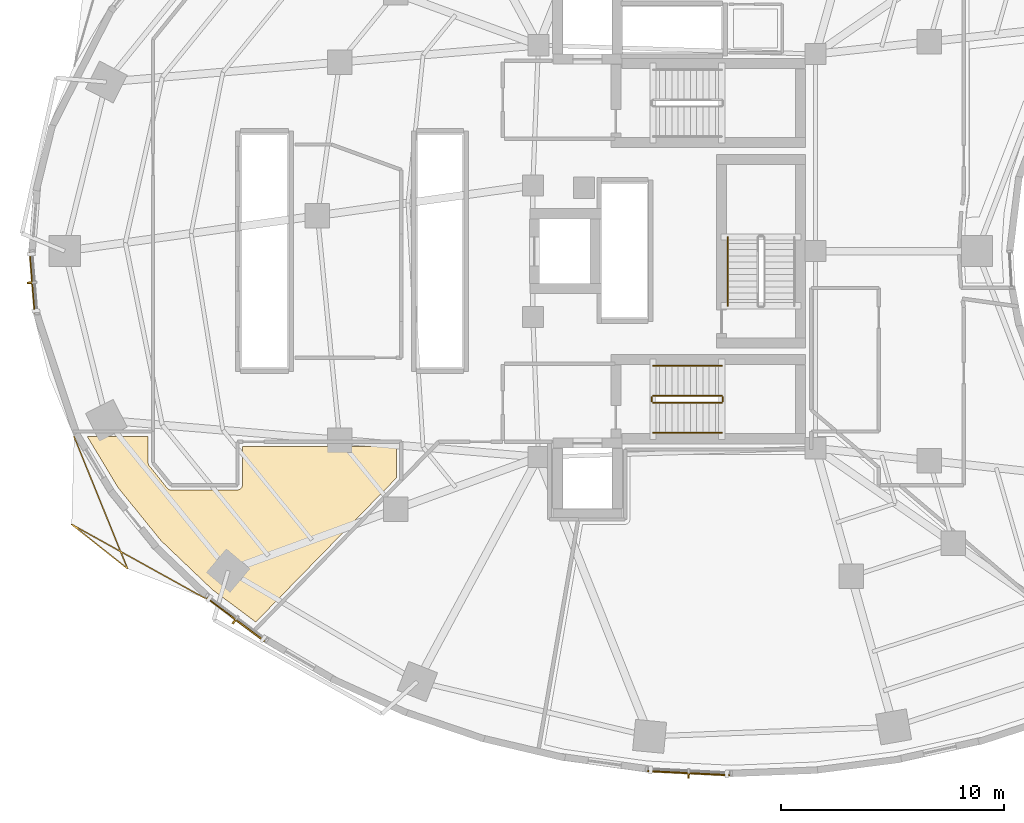
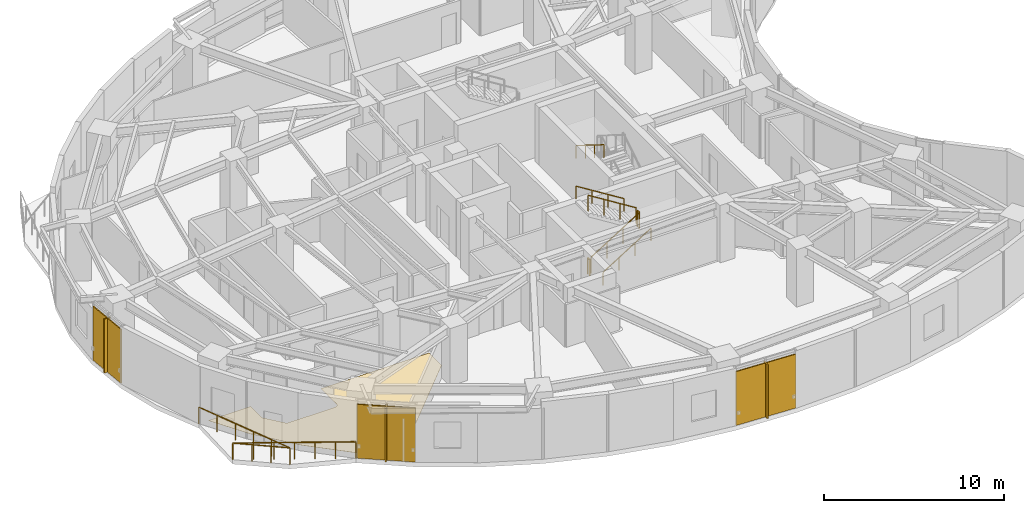
# One storey, part 12 of 14: 8 railings, 6 shading devices, 1 covering.
"""IFC4 building model written with IfcOpenShell, lengths in metres."""

from ifc_helpers import new_model, si_unit, direction, frame, origin, origin_2d, place, context, subcontext, project, spatial, polyline, rectangle, outline, extrude, material, layer, layer_set, type_object, element, save


model = new_model("IFC4")

# Units and contexts
model_context = context("Model", 3, precision=1e-05, world=origin(), true_north=direction((0.0, 1.0)))
body_context = subcontext(model_context, "Body", "Model", "MODEL_VIEW")
ifc_project = project(units=[si_unit("LENGTHUNIT", "METRE"), si_unit("AREAUNIT", "SQUARE_METRE"), si_unit("VOLUMEUNIT", "CUBIC_METRE"), si_unit("PLANEANGLEUNIT", "RADIAN"), si_unit("MASSUNIT", "GRAM", prefix="KILO")], contexts=[model_context])

# Site, building, storey
site_placement = place(None, origin())
site = spatial("IfcSite", under=ifc_project, at=site_placement, CompositionType="ELEMENT")
building_placement = place(site_placement, origin())
building = spatial("IfcBuilding", under=site, at=building_placement, Name="Korentha Bioscience Tower", CompositionType="ELEMENT")
storey_placement = place(building_placement, frame((0.0, 0.0, 46.800048828125)))
storey = spatial("IfcBuildingStorey", under=building, at=storey_placement, Name="L10", CompositionType="ELEMENT", Elevation=46.800048828125)

# Railings
ifc_material_1 = material(Name="Stainless Steel 304", Category="steel")
railing_type_1 = type_object("IfcRailingType", Name="Brushed Stainless Stair Handrail 900", PredefinedType="HANDRAIL", material=ifc_material_1)
railing_1_placement = place(storey_placement, frame((30.25, 18.85009765625, 0.175048828125)))
element("IfcRailing", 1, at=railing_1_placement, inside=storey, type_object=railing_type_1, Name="L10 ST-2 stair handrail 1", PredefinedType="HANDRAIL", context=body_context, shape_type="SweptSolid", body=[
    extrude(rectangle(XDim=0.048095703125, YDim=0.048095703125, at=origin_2d()), frame((0.0, 0.0, 0.8759765625), z_axis=(0.848028513186, 0.0, 0.529950602248), x_axis=(0.0, 1.0, 0.0)), (0.0, 0.0, 1.0), 3.632080078125),
    extrude(rectangle(XDim=0.0419921875, YDim=0.0419921875, at=origin_2d()), origin(), (0.0, 0.0, 1.0), 0.851806640625),
    extrude(rectangle(XDim=0.0419921875, YDim=0.0419921875, at=origin_2d()), frame((1.026611328125, 0.0, 0.6416015625)), (0.0, 0.0, 1.0), 0.851806640625),
    extrude(rectangle(XDim=0.0419921875, YDim=0.0419921875, at=origin_2d()), frame((2.053466796875, 0.0, 1.283203125)), (0.0, 0.0, 1.0), 0.851806640625),
    extrude(rectangle(XDim=0.0419921875, YDim=0.0419921875, at=origin_2d()), frame((3.080078125, 0.0, 1.9248046875)), (0.0, 0.0, 1.0), 0.851806640625),
])
railing_2_placement = place(storey_placement, frame((33.330078125, 21.85009765625, 2.27490234375)))
element("IfcRailing", 2, at=railing_2_placement, inside=storey, type_object=railing_type_1, Name="L10 ST-2 stair handrail 2", PredefinedType="HANDRAIL", context=body_context, shape_type="SweptSolid", body=[
    extrude(rectangle(XDim=0.048095703125, YDim=0.048095703125, at=origin_2d()), frame((0.0, 0.0, 0.8759765625), z_axis=(-0.847998304005, 0.0, 0.529998940003), x_axis=(0.0, -1.0, 0.0)), (0.0, 0.0, 1.0), 3.632080078125),
    extrude(rectangle(XDim=0.0419921875, YDim=0.0419921875, at=origin_2d()), origin(), (0.0, 0.0, 1.0), 0.851806640625),
    extrude(rectangle(XDim=0.0419921875, YDim=0.0419921875, at=origin_2d()), frame((-1.026611328125, 0.0, 0.6416015625)), (0.0, 0.0, 1.0), 0.851806640625),
    extrude(rectangle(XDim=0.0419921875, YDim=0.0419921875, at=origin_2d()), frame((-2.053466796875, 0.0, 1.283447265625)), (0.0, 0.0, 1.0), 0.851806640625),
    extrude(rectangle(XDim=0.0419921875, YDim=0.0419921875, at=origin_2d()), frame((-3.080078125, 0.0, 1.925048828125)), (0.0, 0.0, 1.0), 0.851806640625),
])
railing_3_placement = place(storey_placement, frame((33.60009765625, 27.6298828125, 2.27490234375)))
element("IfcRailing", 3, at=railing_3_placement, inside=storey, type_object=railing_type_1, Name="L10 ST-3 stair handrail 2", PredefinedType="HANDRAIL", context=body_context, shape_type="SweptSolid", body=[
    extrude(rectangle(XDim=0.048095703125, YDim=0.048095703125, at=origin_2d()), frame((0.0, 0.0, 0.8759765625), z_axis=(0.0, -0.847979421464, 0.530029150871), x_axis=(1.0, 0.0, 0.0)), (0.0, 0.0, 1.0), 3.632080078125),
    extrude(rectangle(XDim=0.0419921875, YDim=0.0419921875, at=origin_2d()), origin(), (0.0, 0.0, 1.0), 0.851806640625),
    extrude(rectangle(XDim=0.0419921875, YDim=0.0419921875, at=origin_2d()), frame((0.0, -1.026611328125, 0.6416015625)), (0.0, 0.0, 1.0), 0.851806640625),
    extrude(rectangle(XDim=0.0419921875, YDim=0.0419921875, at=origin_2d()), frame((0.0, -2.05322265625, 1.283447265625)), (0.0, 0.0, 1.0), 0.851806640625),
    extrude(rectangle(XDim=0.0419921875, YDim=0.0419921875, at=origin_2d()), frame((0.0, -3.079833984375, 1.925048828125)), (0.0, 0.0, 1.0), 0.851806640625),
])
ifc_material_2 = material(Name="Laminated Tempered Safety Glass", Category="glass")
railing_type_2 = type_object("IfcRailingType", Name="Laminated Glass Balcony Guardrail 1150", PredefinedType="BALUSTRADE", material=ifc_material_2)
railing_4_placement = place(storey_placement, frame((4.246337890625, 18.6708984375, 0.0)))
element("IfcRailing", 4, at=railing_4_placement, inside=storey, type_object=railing_type_2, Name="L10 Balcony Guardrail 03", PredefinedType="BALUSTRADE", context=body_context, shape_type="SweptSolid", body=[
    extrude(rectangle(XDim=0.048095703125, YDim=0.048095703125, at=origin_2d()), frame((0.0, 0.0, 1.1259765625), z_axis=(0.375353526565, -0.926881723897, 0.0), x_axis=(0.926881723897, 0.375353526565, 0.0)), (0.0, 0.0, 1.0), 6.399658203125),
    extrude(rectangle(XDim=0.048095703125, YDim=0.048095703125, at=origin_2d()), frame((2.402099609375, -5.931640625, 1.1259765625), z_axis=(-0.783832620515, 0.620972159615, 0.0), x_axis=(-0.620972159615, -0.783832620515, 0.0)), (0.0, 0.0, 1.0), 3.205078125),
    extrude(rectangle(XDim=0.048095703125, YDim=0.048095703125, at=origin_2d()), frame((-0.110107421875, -3.94140625, 1.1259765625), z_axis=(0.874749012384, -0.484576274011, 0.0), x_axis=(0.484576274011, 0.874749012384, 0.0)), (0.0, 0.0, 1.0), 6.843017578125),
    extrude(rectangle(XDim=0.0419921875, YDim=0.0419921875, at=origin_2d()), origin(), (0.0, 0.0, 1.0), 1.101806640625),
    extrude(rectangle(XDim=0.0419921875, YDim=0.0419921875, at=origin_2d()), frame((0.48046875, -1.186279296875, 0.0)), (0.0, 0.0, 1.0), 1.101806640625),
    extrude(rectangle(XDim=0.0419921875, YDim=0.0419921875, at=origin_2d()), frame((0.9609375, -2.37255859375, 0.0)), (0.0, 0.0, 1.0), 1.101806640625),
    extrude(rectangle(XDim=0.0419921875, YDim=0.0419921875, at=origin_2d()), frame((1.441162109375, -3.55908203125, 0.0)), (0.0, 0.0, 1.0), 1.101806640625),
    extrude(rectangle(XDim=0.0419921875, YDim=0.0419921875, at=origin_2d()), frame((1.921630859375, -4.745361328125, 0.0)), (0.0, 0.0, 1.0), 1.101806640625),
    extrude(rectangle(XDim=0.0419921875, YDim=0.0419921875, at=origin_2d()), frame((2.402099609375, -5.931640625, 0.0)), (0.0, 0.0, 1.0), 1.101806640625),
    extrude(rectangle(XDim=0.0419921875, YDim=0.0419921875, at=origin_2d()), frame((1.564697265625, -5.268310546875, 0.0)), (0.0, 0.0, 1.0), 1.101806640625),
    extrude(rectangle(XDim=0.0419921875, YDim=0.0419921875, at=origin_2d()), frame((0.727294921875, -4.604736328125, 0.0)), (0.0, 0.0, 1.0), 1.101806640625),
    extrude(rectangle(XDim=0.0419921875, YDim=0.0419921875, at=origin_2d()), frame((-0.110107421875, -3.94140625, 0.0)), (0.0, 0.0, 1.0), 1.101806640625),
    extrude(rectangle(XDim=0.0419921875, YDim=0.0419921875, at=origin_2d()), frame((0.887451171875, -4.494140625, 0.0)), (0.0, 0.0, 1.0), 1.101806640625),
    extrude(rectangle(XDim=0.0419921875, YDim=0.0419921875, at=origin_2d()), frame((1.88525390625, -5.046630859375, 0.0)), (0.0, 0.0, 1.0), 1.101806640625),
    extrude(rectangle(XDim=0.0419921875, YDim=0.0419921875, at=origin_2d()), frame((2.8828125, -5.599365234375, 0.0)), (0.0, 0.0, 1.0), 1.101806640625),
    extrude(rectangle(XDim=0.0419921875, YDim=0.0419921875, at=origin_2d()), frame((3.88037109375, -6.152099609375, 0.0)), (0.0, 0.0, 1.0), 1.101806640625),
    extrude(rectangle(XDim=0.0419921875, YDim=0.0419921875, at=origin_2d()), frame((4.878173828125, -6.70458984375, 0.0)), (0.0, 0.0, 1.0), 1.101806640625),
    extrude(rectangle(XDim=0.0419921875, YDim=0.0419921875, at=origin_2d()), frame((5.875732421875, -7.25732421875, 0.0)), (0.0, 0.0, 1.0), 1.101806640625),
])
ifc_material_3 = material(Name="Painted Steel S275", Category="steel")
railing_type_3 = type_object("IfcRailingType", Name="Painted Steel Stair Well Guardrail 1100", PredefinedType="GUARDRAIL", material=ifc_material_3)
railing_5_placement = place(storey_placement, frame((30.25, 20.199951171875, 0.175048828125)))
element("IfcRailing", 5, at=railing_5_placement, inside=storey, type_object=railing_type_3, Name="L10 ST-2 stair guard 1", PredefinedType="GUARDRAIL", context=body_context, shape_type="SweptSolid", body=[
    extrude(rectangle(XDim=0.048095703125, YDim=0.048095703125, at=origin_2d()), frame((0.0, 0.0, 1.076171875), z_axis=(0.848028513186, 0.0, 0.529950602248), x_axis=(0.0, 1.0, 0.0)), (0.0, 0.0, 1.0), 3.632080078125),
    extrude(rectangle(XDim=0.0419921875, YDim=0.0419921875, at=origin_2d()), origin(), (0.0, 0.0, 1.0), 1.052001953125),
    extrude(rectangle(XDim=0.0419921875, YDim=0.0419921875, at=origin_2d()), frame((1.026611328125, 0.0, 0.6416015625)), (0.0, 0.0, 1.0), 1.052001953125),
    extrude(rectangle(XDim=0.0419921875, YDim=0.0419921875, at=origin_2d()), frame((2.053466796875, 0.0, 1.283203125)), (0.0, 0.0, 1.0), 1.052001953125),
    extrude(rectangle(XDim=0.0419921875, YDim=0.0419921875, at=origin_2d()), frame((3.080078125, 0.0, 1.9248046875)), (0.0, 0.0, 1.0), 1.052001953125),
])
railing_6_placement = place(storey_placement, frame((33.3798828125, 20.25, 2.099853515625)))
element("IfcRailing", 6, at=railing_6_placement, inside=storey, type_object=railing_type_3, Name="L10 ST-2 stair guard 2", PredefinedType="GUARDRAIL", context=body_context, shape_type="SweptSolid", body=[
    extrude(rectangle(XDim=0.048095703125, YDim=0.048095703125, at=origin_2d()), frame((0.0, 0.0, 1.076171875), z_axis=(0.0, 1.0, 0.0), x_axis=(-1.0, 0.0, 0.0)), (0.0, 0.0, 1.0), 0.199951171875),
    extrude(rectangle(XDim=0.0419921875, YDim=0.0419921875, at=origin_2d()), origin(), (0.0, 0.0, 1.0), 1.052001953125),
    extrude(rectangle(XDim=0.0419921875, YDim=0.0419921875, at=origin_2d()), frame((0.0, 0.199951171875, 0.0)), (0.0, 0.0, 1.0), 1.052001953125),
])
railing_7_placement = place(storey_placement, frame((33.330078125, 20.5, 2.27490234375)))
element("IfcRailing", 7, at=railing_7_placement, inside=storey, type_object=railing_type_3, Name="L10 ST-2 stair guard 3", PredefinedType="GUARDRAIL", context=body_context, shape_type="SweptSolid", body=[
    extrude(rectangle(XDim=0.048095703125, YDim=0.048095703125, at=origin_2d()), frame((0.0, 0.0, 1.076171875), z_axis=(-0.847998304005, 0.0, 0.529998940003), x_axis=(0.0, -1.0, 0.0)), (0.0, 0.0, 1.0), 3.632080078125),
    extrude(rectangle(XDim=0.0419921875, YDim=0.0419921875, at=origin_2d()), origin(), (0.0, 0.0, 1.0), 1.052001953125),
    extrude(rectangle(XDim=0.0419921875, YDim=0.0419921875, at=origin_2d()), frame((-1.026611328125, 0.0, 0.6416015625)), (0.0, 0.0, 1.0), 1.052001953125),
    extrude(rectangle(XDim=0.0419921875, YDim=0.0419921875, at=origin_2d()), frame((-2.053466796875, 0.0, 1.283447265625)), (0.0, 0.0, 1.0), 1.052001953125),
    extrude(rectangle(XDim=0.0419921875, YDim=0.0419921875, at=origin_2d()), frame((-3.080078125, 0.0, 1.925048828125)), (0.0, 0.0, 1.0), 1.052001953125),
])
railing_8_placement = place(storey_placement, frame((30.199951171875, 20.25, 0.0)))
element("IfcRailing", 8, at=railing_8_placement, inside=storey, type_object=railing_type_3, Name="L10 ST-2 stair guard 4", PredefinedType="GUARDRAIL", context=body_context, shape_type="SweptSolid", body=[
    extrude(rectangle(XDim=0.048095703125, YDim=0.048095703125, at=origin_2d()), frame((0.0, 0.0, 1.076171875), z_axis=(0.0, 1.0, 0.0), x_axis=(-1.0, 0.0, 0.0)), (0.0, 0.0, 1.0), 0.199951171875),
    extrude(rectangle(XDim=0.0419921875, YDim=0.0419921875, at=origin_2d()), origin(), (0.0, 0.0, 1.0), 1.052001953125),
    extrude(rectangle(XDim=0.0419921875, YDim=0.0419921875, at=origin_2d()), frame((0.0, 0.199951171875, 0.0)), (0.0, 0.0, 1.0), 1.052001953125),
])

# Shading devices
ifc_material_4 = material(Name="Perforated Stone-Ceramic Composite", Category="masonry")
ifc_layer_1 = layer(ifc_material_4, 0.06494140625, Name="Perforated Stone-Ceramic Composite")
ifc_layer_set_1 = layer_set([ifc_layer_1], Name="Perforated Stone-Ceramic Composite (CS-01)")
shading_device_type_1 = type_object("IfcShadingDeviceType", Name="Perforated Stone-Ceramic Solar Screen Panel 65", PredefinedType="USERDEFINED", material=ifc_layer_set_1)
shading_device_1_placement = place(storey_placement, frame((2.37451171875, 25.58935546875, 0.0), z_axis=(0.0, 0.0, 1.0), x_axis=(0.080820466375, -0.996728675325, 0.0)))
element("IfcShadingDevice", 9, at=shading_device_1_placement, inside=storey, type_object=shading_device_type_1, Name="CW-L10-19 Perforated Stone-Ceramic Solar Screen", ObjectType="SCREEN", PredefinedType="USERDEFINED", context=body_context, shape_type="SweptSolid", body=[
    extrude(rectangle(XDim=2.739990234375, YDim=0.06494140625, at=origin_2d()), origin(), (0.0, 0.0, 1.0), 3.64990234375),
])
shading_device_2_placement = place(storey_placement, frame((11.503662109375, 10.455078125, 0.0), z_axis=(0.0, 0.0, 1.0), x_axis=(0.800797909614, -0.598934644145, 0.0)))
element("IfcShadingDevice", 10, at=shading_device_2_placement, inside=storey, type_object=shading_device_type_1, Name="CW-L10-25 Perforated Stone-Ceramic Solar Screen", ObjectType="SCREEN", PredefinedType="USERDEFINED", context=body_context, shape_type="SweptSolid", body=[
    extrude(rectangle(XDim=3.260986328125, YDim=0.06494140625, at=origin_2d()), origin(), (0.0, 0.0, 1.0), 3.64990234375),
])
shading_device_3_placement = place(storey_placement, frame((31.85009765625, 3.556640625, 0.0), z_axis=(0.0, 0.0, 1.0), x_axis=(0.998730551641, -0.050371472279, 0.0)))
element("IfcShadingDevice", 11, at=shading_device_3_placement, inside=storey, type_object=shading_device_type_1, Name="CW-L10-31 Perforated Stone-Ceramic Solar Screen", ObjectType="SCREEN", PredefinedType="USERDEFINED", context=body_context, shape_type="SweptSolid", body=[
    extrude(rectangle(XDim=3.717041015625, YDim=0.06494140625, at=origin_2d()), origin(), (0.0, 0.0, 1.0), 3.64990234375),
])

# Covering
ifc_material_5 = material(Name="Chemical-Resistant Epoxy Resin", Category="polymer")
ifc_layer_2 = layer(ifc_material_5, 0.011962890625, Name="Chemical-Resistant Epoxy Resin")
ifc_layer_set_2 = layer_set([ifc_layer_2], Name="Chemical-Resistant Epoxy Resin (FL-EPX)")
covering_type = type_object("IfcCoveringType", Name="Seamless Epoxy Laboratory Flooring 12", PredefinedType="FLOORING", material=ifc_layer_set_2)
covering_placement = place(storey_placement, origin())
element("IfcCovering", 12, at=covering_placement, inside=storey, type_object=covering_type, Name="L10 Staff Pantry Kitchenette 02 Floor Finish", PredefinedType="FLOORING", context=body_context, shape_type="SweptSolid", body=[
    extrude(outline(polyline([(7.570068359375, 18.677978515625), (7.570068359375, 17.498779296875), (7.591552734375, 17.40185546875), (8.43701171875, 16.346923828125), (8.489990234375, 16.302978515625), (8.57421875, 16.272705078125), (11.580078125, 16.27001953125), (11.69873046875, 16.302978515625), (11.777587890625, 16.382080078125), (11.809814453125, 16.48828125), (11.81005859375, 18.219970703125), (18.72802734375, 18.219970703125), (18.72802734375, 16.81884765625), (12.406982421875, 10.341552734375), (10.451904296875, 11.8037109375), (8.15087890625, 13.998046875), (6.225830078125, 16.3759765625), (4.83740234375, 18.677978515625), (7.570068359375, 18.677978515625)])), origin(), (0.0, 0.0, 1.0), 0.011962890625),
])

# Shading devices
ifc_material_6 = material(Name="Honed Travertine Limestone", Category="masonry")
ifc_layer_3 = layer(ifc_material_6, 0.080078125, Name="Honed Travertine Limestone")
ifc_layer_set_3 = layer_set([ifc_layer_3], Name="Honed Travertine Limestone (CS-02)")
shading_device_type_2 = type_object("IfcShadingDeviceType", Name="Vertical Honed Limestone Sunshade Fin 80x420", PredefinedType="USERDEFINED", material=ifc_layer_set_3)
for number, where, z_axis, x_axis, name in (
    (13, (2.354736328125, 25.587890625, 0.0), (0.0, 0.0, 1.0), (0.080820466375, -0.996728675325, 0.0), "CW-L10-19 Limestone Sunshade Fin"),
    (14, (11.49169921875, 10.439208984375, 0.0), (0.0, 0.0, 1.0), (0.800797909614, -0.598934644145, 0.0), "CW-L10-25 Limestone Sunshade Fin"),
    (15, (31.84912109375, 3.536865234375, 0.0), (0.0, 0.0, 1.0), (0.998730551641, -0.050371472279, 0.0), "CW-L10-31 Limestone Sunshade Fin"),
):
    element("IfcShadingDevice", number, at=place(storey_placement, frame(where, z_axis=z_axis, x_axis=x_axis)), inside=storey, type_object=shading_device_type_2, Name=name, ObjectType="SCREEN", PredefinedType="USERDEFINED", context=body_context, shape_type="SweptSolid", body=[
        extrude(rectangle(XDim=0.080078125, YDim=0.419921875, at=origin_2d()), origin(), (0.0, 0.0, 1.0), 3.64990234375),
    ])

save(model, "model.ifc")
